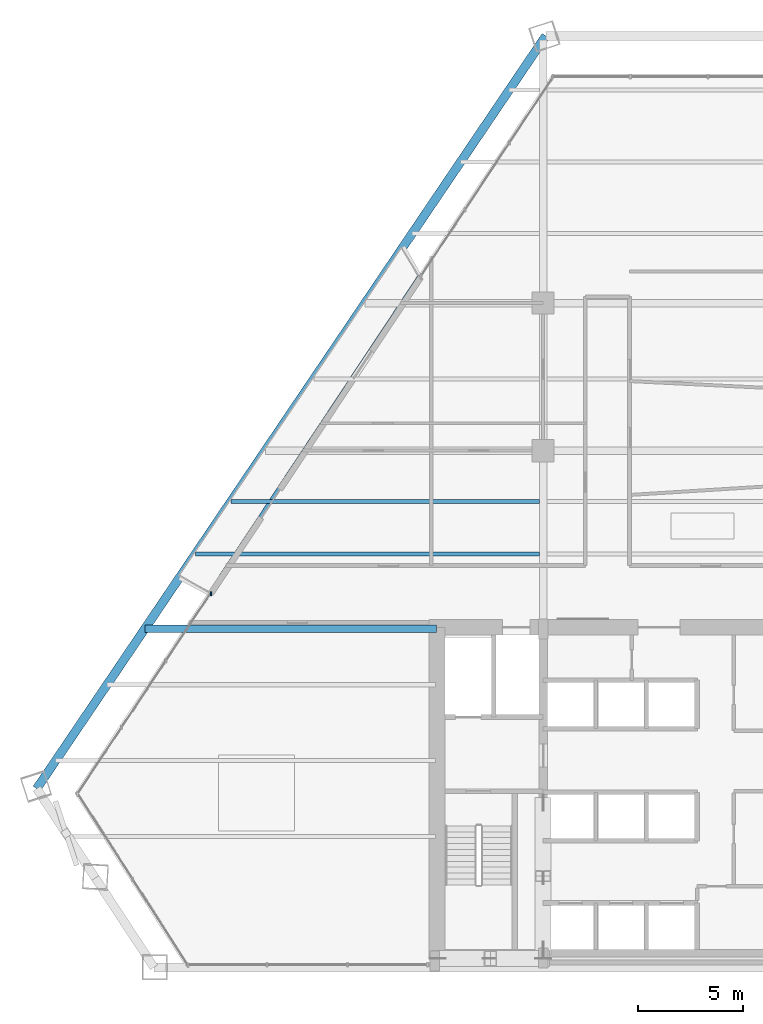
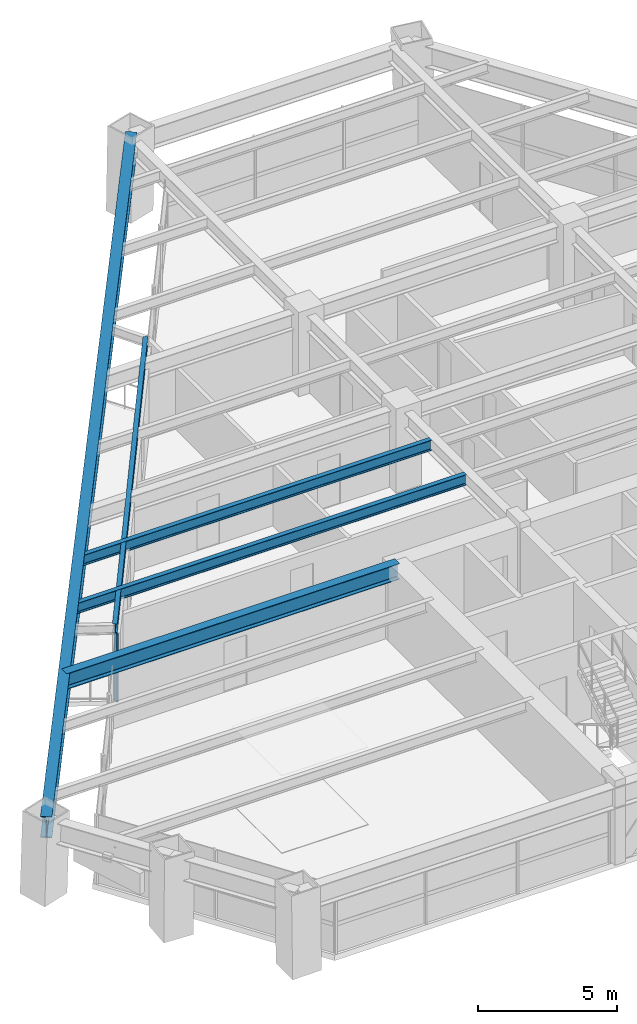
# One storey, part 4 of 14: 5 beams, 1 member, 1 element without a shape of its own.
"""IFC4 building model written with IfcOpenShell, lengths in metres."""

from ifc_helpers import new_model, si_unit, direction, frame, origin, origin_2d, place, context, subcontext, project, spatial, rectangle, i_section, extrude, source, transform, mapped, material, material_profile, profile_set, type_object, element, aggregate, save


model = new_model("IFC4")

# Units and contexts
model_context = context("Model", 3, precision=1e-05, world=origin(), true_north=direction((0.0, 1.0)))
body_context = subcontext(model_context, "Body", "Model", "MODEL_VIEW")
ifc_project = project(units=[si_unit("LENGTHUNIT", "METRE"), si_unit("AREAUNIT", "SQUARE_METRE"), si_unit("VOLUMEUNIT", "CUBIC_METRE"), si_unit("PLANEANGLEUNIT", "RADIAN"), si_unit("MASSUNIT", "GRAM", prefix="KILO")], contexts=[model_context])

# Site, building, storey
site_placement = place(None, origin())
site = spatial("IfcSite", under=ifc_project, at=site_placement, CompositionType="ELEMENT")
building_placement = place(site_placement, origin())
building = spatial("IfcBuilding", under=site, at=building_placement, Name="Varnakhor Terracotta Tower", CompositionType="ELEMENT")
storey_placement = place(building_placement, frame((0.0, 0.0, 117.300048828125)))
storey = spatial("IfcBuildingStorey", under=building, at=storey_placement, Name="L29", CompositionType="ELEMENT", Elevation=117.300048828125)

# Beams
ifc_material_1 = material(Name="Steel S355", Category="steel")
ifc_material_profile_1 = material_profile(ifc_material_1, i_section(OverallWidth=0.41796875, OverallDepth=0.927001953125, WebThickness=0.01904296875, FlangeThickness=0.031982421875, FilletRadius=0.01806640625, at=origin_2d()), Name="W36X231")
ifc_profile_set_1 = profile_set([ifc_material_profile_1], Name="Steel S355")
beam_type_1 = type_object("IfcBeamType", Name="BM-W36X231", PredefinedType="BEAM", material=ifc_profile_set_1)
shared_shape_1 = source(origin(), body_context, "Body", "SweptSolid", [
    extrude(i_section(OverallWidth=0.41796875, OverallDepth=0.927001953125, WebThickness=0.01904296875, FlangeThickness=0.031982421875, FilletRadius=0.01806640625, at=origin_2d()), origin(), (0.0, 0.0, 1.0), 43.08935546875),
])
beam_1_placement = place(storey_placement, frame((-5.372802734375, 44.16796875, 2.95654296875), z_axis=(-0.560200523464, -0.828357032632, 0.0), x_axis=(0.828357032632, -0.560200523464, 0.0)))
element("IfcBeam", 1, at=beam_1_placement, inside=storey, type_object=beam_type_1, Name="L29 Perimeter Spandrel 6", PredefinedType="BEAM", context=body_context, shape_type="MappedRepresentation", body=[
    mapped(shared_shape_1, transform((0.0, 0.0, 0.0), scale=1.0)),
])
ifc_material_profile_2 = material_profile(ifc_material_1, i_section(OverallWidth=0.179931640625, OverallDepth=0.39990234375, WebThickness=0.008544921875, FlangeThickness=0.013427734375, FilletRadius=0.01806640625, at=origin_2d()), Name="IPE400")
ifc_profile_set_2 = profile_set([ifc_material_profile_2], Name="Steel S355")
beam_type_2 = type_object("IfcBeamType", Name="JST-IPE400", PredefinedType="JOIST", material=ifc_profile_set_2)
shared_shape_2 = source(origin(), body_context, "Body", "SweptSolid", [
    extrude(i_section(OverallWidth=0.179931640625, OverallDepth=0.39990234375, WebThickness=0.008544921875, FlangeThickness=0.013427734375, FilletRadius=0.01806640625, at=origin_2d()), origin(), (0.0, 0.0, 1.0), 18.06591796875),
])
beam_2_placement = place(storey_placement, frame((-11.352294921875, 32.78515625, 3.219970703125), z_axis=(-0.551771533872, -0.833995308385, 0.0), x_axis=(0.833995308385, -0.551771533872, 0.0)))
element("IfcBeam", 2, at=beam_2_placement, inside=storey, type_object=beam_type_2, Name="L29 Loggia Edge Beam 2", PredefinedType="JOIST", context=body_context, shape_type="MappedRepresentation", body=[
    mapped(shared_shape_2, transform((0.0, 0.0, 0.0), scale=1.0)),
])
ifc_material_profile_3 = material_profile(ifc_material_1, i_section(OverallWidth=0.35498046875, OverallDepth=0.695068359375, WebThickness=0.014892578125, FlangeThickness=0.02490234375, FilletRadius=0.01806640625, at=origin_2d()), Name="W27X146")
ifc_profile_set_3 = profile_set([ifc_material_profile_3], Name="Steel S355")
beam_type_3 = type_object("IfcBeamType", Name="BM-W27X146", PredefinedType="BEAM", material=ifc_profile_set_3)
shared_shape_3 = source(origin(), body_context, "Body", "SweptSolid", [
    extrude(i_section(OverallWidth=0.35498046875, OverallDepth=0.695068359375, WebThickness=0.014892578125, FlangeThickness=0.02490234375, FilletRadius=0.01806640625, at=origin_2d()), origin(), (0.0, 0.0, 1.0), 13.838134765625),
])
beam_3_placement = place(storey_placement, frame((-24.38818359375, 16.050048828125, 3.072509765625), z_axis=(1.0, 0.0, 0.0), x_axis=(0.0, 1.0, 0.0)))
element("IfcBeam", 3, at=beam_3_placement, inside=storey, type_object=beam_type_3, Name="L29 Wing Girder W", PredefinedType="BEAM", context=body_context, shape_type="MappedRepresentation", body=[
    mapped(shared_shape_3, transform((0.0, 0.0, 0.0), scale=1.0)),
])
ifc_material_profile_4 = material_profile(ifc_material_1, i_section(OverallWidth=0.19189453125, OverallDepth=0.462890625, WebThickness=0.010498046875, FlangeThickness=0.017578125, FilletRadius=0.01806640625, at=origin_2d()), Name="W18X60")
ifc_profile_set_4 = profile_set([ifc_material_profile_4], Name="Steel S355")
beam_type_4 = type_object("IfcBeamType", Name="JST-W18X60", PredefinedType="JOIST", material=ifc_profile_set_4)
shared_shape_4 = source(origin(), body_context, "Body", "SweptSolid", [
    extrude(i_section(OverallWidth=0.19189453125, OverallDepth=0.462890625, WebThickness=0.010498046875, FlangeThickness=0.017578125, FilletRadius=0.01806640625, at=origin_2d()), origin(), (0.0, 0.0, 1.0), 16.31396484375),
])
beam_4_placement = place(storey_placement, frame((-21.987548828125, 19.60009765625, 3.1884765625), z_axis=(1.0, 0.0, 0.0), x_axis=(0.0, 1.0, 0.0)))
element("IfcBeam", 4, at=beam_4_placement, inside=storey, type_object=beam_type_4, Name="L29 Composite Floor Joist 4-1", PredefinedType="JOIST", context=body_context, shape_type="MappedRepresentation", body=[
    mapped(shared_shape_4, transform((0.0, 0.0, 0.0), scale=1.0)),
])
shared_shape_5 = source(origin(), body_context, "Body", "SweptSolid", [
    extrude(i_section(OverallWidth=0.19189453125, OverallDepth=0.462890625, WebThickness=0.010498046875, FlangeThickness=0.017578125, FilletRadius=0.01806640625, at=origin_2d()), origin(), (0.0, 0.0, 1.0), 14.623291015625),
])
beam_5_placement = place(storey_placement, frame((-20.296875, 22.10009765625, 3.1884765625), z_axis=(1.0, 0.0, 0.0), x_axis=(0.0, 1.0, 0.0)))
element("IfcBeam", 5, at=beam_5_placement, inside=storey, type_object=beam_type_4, Name="L29 Composite Floor Joist 5-1", PredefinedType="JOIST", context=body_context, shape_type="MappedRepresentation", body=[
    mapped(shared_shape_5, transform((0.0, 0.0, 0.0), scale=1.0)),
])

# Curtain wall, member
ifc_material_2 = material(Name="Anodised Aluminium Curtain Wall System", Category="aluminium")
curtain_wall_type = type_object("IfcCurtainWallType", Name="CW-SYS-LOW-OFFICE", PredefinedType="NOTDEFINED", material=ifc_material_2)
curtain_wall_placement = place(storey_placement, origin())
curtain_wall = element("IfcCurtainWall", 6, at=curtain_wall_placement, inside=storey, type_object=curtain_wall_type, Name="L29 W Facet Curtain Wall 1", PredefinedType="NOTDEFINED")
ifc_material_3 = material(Name="Anodised Aluminium 6063-T6", Category="aluminium")
ifc_material_profile_5 = material_profile(ifc_material_3, rectangle(XDim=0.074951171875, YDim=0.18505859375, at=origin_2d()), Name="ALU MULLION 75x185")
ifc_profile_set_5 = profile_set([ifc_material_profile_5], Name="Anodised Aluminium 6063-T6")
member_type = type_object("IfcMemberType", Name="CWM-02", PredefinedType="MULLION", material=ifc_profile_set_5)
shared_shape_6 = source(origin(), body_context, "Body", "SweptSolid", [
    extrude(rectangle(XDim=0.074951171875, YDim=0.18505859375, at=origin_2d()), origin(), (0.0, 0.0, 1.0), 3.0),
])
member_placement = place(storey_placement, frame((-21.255615234375, 17.72021484375, 0.0), z_axis=(0.0, 0.0, 1.0), x_axis=(1.0, 0.0, 0.0)))
member = element("IfcMember", 7, at=member_placement, type_object=member_type, Name="L29 W Loggia Jamb Closure Mullion 1", PredefinedType="MULLION", context=body_context, shape_type="MappedRepresentation", body=[
    mapped(shared_shape_6, transform((0.0, 0.0, 0.0), scale=1.0)),
])
aggregate(curtain_wall, [member])

save(model, "model.ifc")
